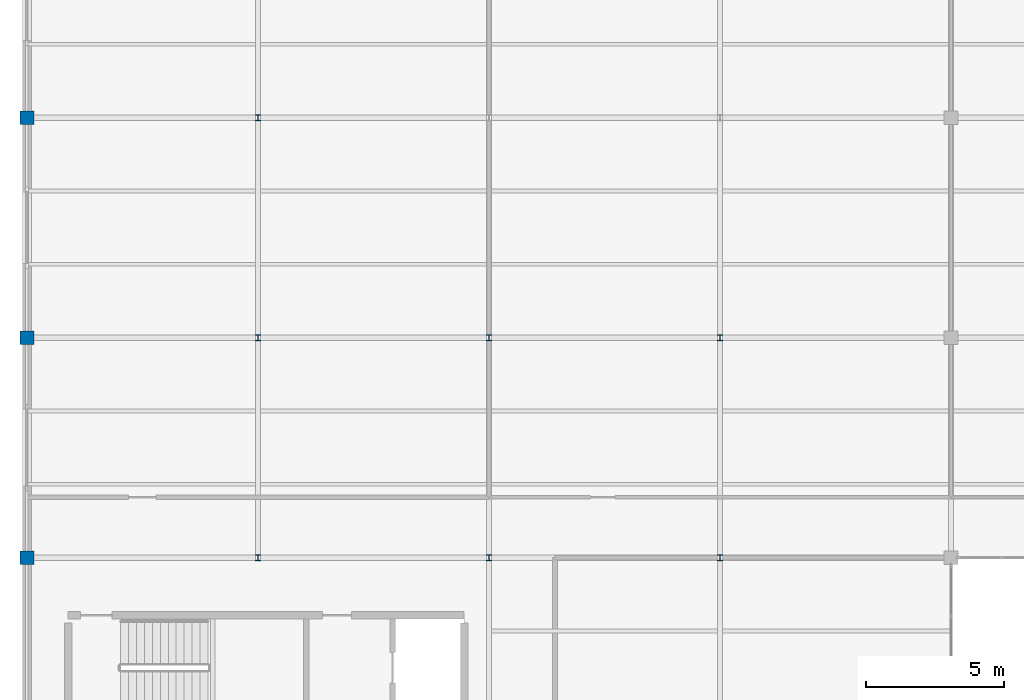
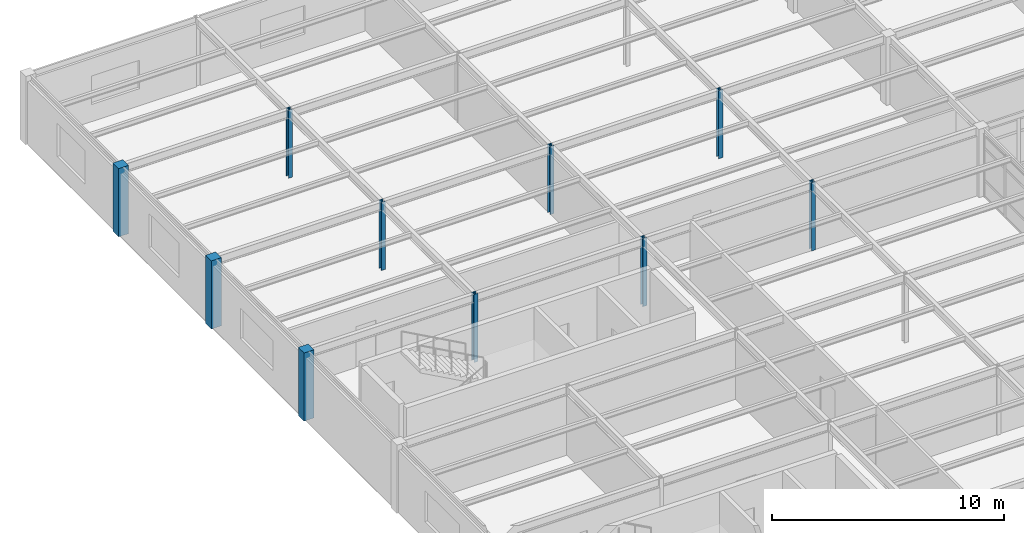
# One storey, part 5 of 32: 10 columns.
"""IFC4 building model written with IfcOpenShell, lengths in metres."""

from ifc_helpers import new_model, si_unit, direction, frame, origin, origin_2d, place, context, subcontext, project, spatial, rectangle, i_section, extrude, material, material_profile, profile_set, type_object, element, save


model = new_model("IFC4")

# Units and contexts
model_context = context("Model", 3, precision=1e-05, world=origin(), true_north=direction((0.0, 1.0)))
body_context = subcontext(model_context, "Body", "Model", "MODEL_VIEW")
ifc_project = project(units=[si_unit("LENGTHUNIT", "METRE"), si_unit("AREAUNIT", "SQUARE_METRE"), si_unit("VOLUMEUNIT", "CUBIC_METRE"), si_unit("PLANEANGLEUNIT", "RADIAN"), si_unit("MASSUNIT", "GRAM", prefix="KILO")], contexts=[model_context])

# Site, building, storey
site_placement = place(None, origin())
site = spatial("IfcSite", under=ifc_project, at=site_placement, CompositionType="ELEMENT")
building_placement = place(site_placement, origin())
building = spatial("IfcBuilding", under=site, at=building_placement, Name="Kranzveld Transit Interchange", CompositionType="ELEMENT")
storey_placement = place(building_placement, frame((0.0, 0.0, 17.199951171875)))
storey = spatial("IfcBuildingStorey", under=building, at=storey_placement, Name="L04", CompositionType="ELEMENT", Elevation=17.199951171875)

# Columns
ifc_material_1 = material(Name="Concrete C35/45", Category="concrete")
ifc_material_profile_1 = material_profile(ifc_material_1, rectangle(XDim=0.5, YDim=0.5, at=origin_2d()), Name="RC 500x500")
ifc_profile_set_1 = profile_set([ifc_material_profile_1], Name="Concrete C35/45")
column_type_1 = type_object("IfcColumnType", Name="Column RC 500x500 C35/45", PredefinedType="COLUMN", material=ifc_profile_set_1)
for number, where, z_axis, x_axis, name in (
    (1, (0.0, 88.0, 0.0), (0.0, 0.0, 1.0), (1.0, 0.0, 0.0), "L04 Column 01/M"),
    (2, (0.0, 96.0, 0.0), (0.0, 0.0, 1.0), (1.0, 0.0, 0.0), "L04 Column 01/N"),
    (3, (0.0, 104.0, 0.0), (0.0, 0.0, 1.0), (1.0, 0.0, 0.0), "L04 Column 01/P"),
):
    element("IfcColumn", number, at=place(storey_placement, frame(where, z_axis=z_axis, x_axis=x_axis)), inside=storey, type_object=column_type_1, Name=name, PredefinedType="COLUMN", context=body_context, shape_type="SweptSolid", body=[
        extrude(rectangle(XDim=0.5, YDim=0.5, at=origin_2d()), origin(), (0.0, 0.0, 1.0), 3.590087890625),
    ])
ifc_material_2 = material(Name="Steel S355JR", Category="steel")
ifc_material_profile_2 = material_profile(ifc_material_2, i_section(OverallWidth=0.205810546875, OverallDepth=0.209716796875, WebThickness=0.009521484375, FlangeThickness=0.01416015625, FilletRadius=0.01025390625, at=origin_2d()), Name="UC 203x203x60")
ifc_profile_set_2 = profile_set([ifc_material_profile_2], Name="Steel S355JR")
column_type_2 = type_object("IfcColumnType", Name="Column Steel UC 203x203x60 S355JR", PredefinedType="COLUMN", material=ifc_profile_set_2)
for number, where, z_axis, x_axis, name in (
    (4, (8.39990234375, 88.0, 0.0), (0.0, 0.0, 1.0), (1.0, 0.0, 0.0), "L04 Column 02/M"),
    (5, (8.39990234375, 96.0, 0.0), (0.0, 0.0, 1.0), (1.0, 0.0, 0.0), "L04 Column 02/N"),
    (6, (8.39990234375, 104.0, 0.0), (0.0, 0.0, 1.0), (1.0, 0.0, 0.0), "L04 Column 02/P"),
    (7, (16.800048828125, 88.0, 0.0), (0.0, 0.0, 1.0), (1.0, 0.0, 0.0), "L04 Column 03/M"),
    (8, (16.800048828125, 96.0, 0.0), (0.0, 0.0, 1.0), (1.0, 0.0, 0.0), "L04 Column 03/N"),
    (9, (25.199951171875, 88.0, 0.0), (0.0, 0.0, 1.0), (1.0, 0.0, 0.0), "L04 Column 04/M"),
    (10, (25.199951171875, 96.0, 0.0), (0.0, 0.0, 1.0), (1.0, 0.0, 0.0), "L04 Column 04/N"),
):
    element("IfcColumn", number, at=place(storey_placement, frame(where, z_axis=z_axis, x_axis=x_axis)), inside=storey, type_object=column_type_2, Name=name, PredefinedType="COLUMN", context=body_context, shape_type="SweptSolid", body=[
        extrude(i_section(OverallWidth=0.205810546875, OverallDepth=0.209716796875, WebThickness=0.009521484375, FlangeThickness=0.01416015625, FilletRadius=0.01025390625, at=origin_2d()), origin(), (0.0, 0.0, 1.0), 3.590087890625),
    ])

save(model, "model.ifc")
